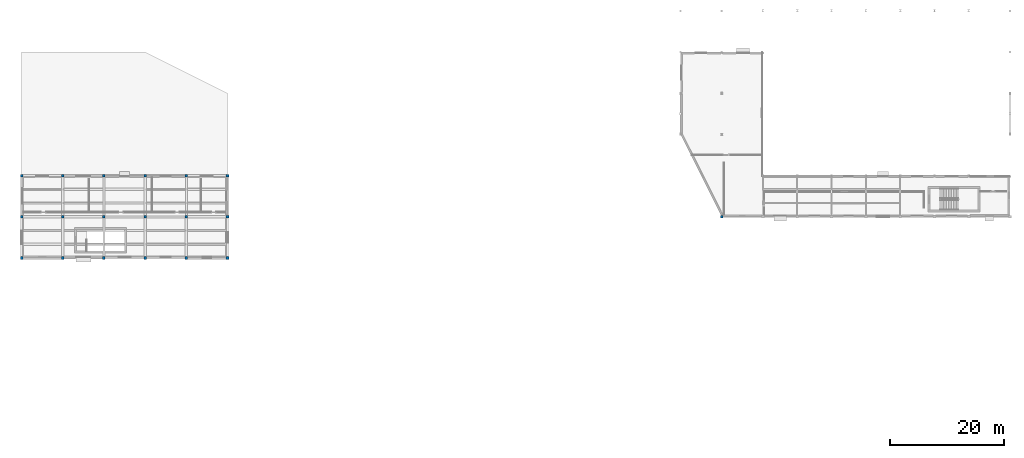
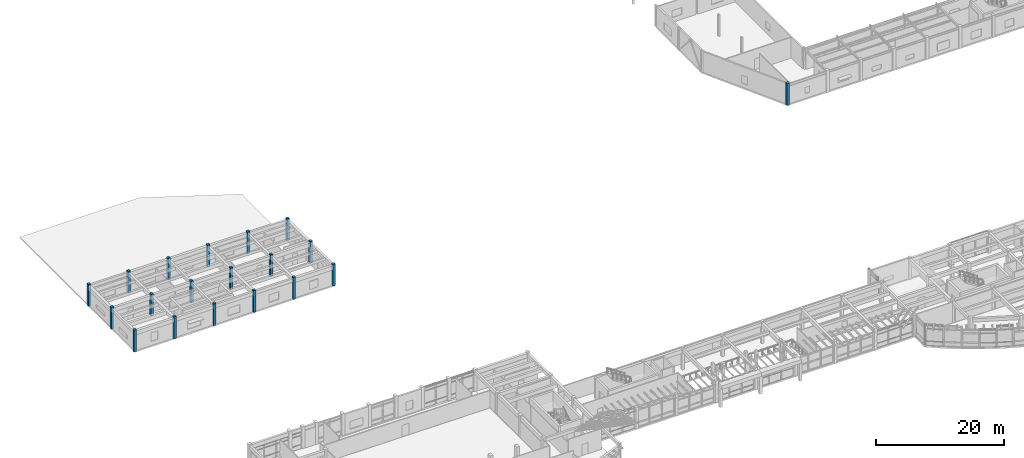
# One storey, part 2 of 60: 19 columns.
"""IFC4 building model written with IfcOpenShell, lengths in metres."""

from ifc_helpers import new_model, si_unit, direction, frame, origin, origin_2d, place, context, subcontext, project, spatial, rectangle, extrude, material, material_profile, profile_set, type_object, element, save


model = new_model("IFC4")

# Units and contexts
model_context = context("Model", 3, precision=1e-05, world=origin(), true_north=direction((0.0, 1.0)))
body_context = subcontext(model_context, "Body", "Model", "MODEL_VIEW")
ifc_project = project(units=[si_unit("LENGTHUNIT", "METRE"), si_unit("AREAUNIT", "SQUARE_METRE"), si_unit("VOLUMEUNIT", "CUBIC_METRE"), si_unit("PLANEANGLEUNIT", "RADIAN"), si_unit("MASSUNIT", "GRAM", prefix="KILO")], contexts=[model_context])

# Site, building, storey
site_placement = place(None, origin())
site = spatial("IfcSite", under=ifc_project, at=site_placement, CompositionType="ELEMENT")
building_placement = place(site_placement, origin())
building = spatial("IfcBuilding", under=site, at=building_placement, Name="Brisavento Harbour Community Centre", CompositionType="ELEMENT")
storey_placement = place(building_placement, frame((0.0, 0.0, 4.5)))
storey = spatial("IfcBuildingStorey", under=building, at=storey_placement, Name="L01", CompositionType="ELEMENT", Elevation=4.5)

# Columns
ifc_material = material(Name="Concrete C35/45", Category="concrete")
ifc_material_profile_1 = material_profile(ifc_material, rectangle(XDim=0.449951171875, YDim=0.449951171875, at=origin_2d()), Name="Concrete C35/45")
ifc_profile_set_1 = profile_set([ifc_material_profile_1], Name="Concrete C35/45")
column_type_1 = type_object("IfcColumnType", Name="COL-RC-450", PredefinedType="COLUMN", material=ifc_profile_set_1)
for number, where, z_axis, x_axis, name in (
    (1, (0.0, 72.0, 0.0), (0.0, 0.0, 1.0), (1.0, 0.0, 0.0), "L01 column V5-0-72"),
    (2, (0.0, 79.199951171875, 0.0), (0.0, 0.0, 1.0), (1.0, 0.0, 0.0), "L01 column V5-0-79"),
    (3, (0.0, 86.39990234375, 0.0), (0.0, 0.0, 1.0), (1.0, 0.0, 0.0), "L01 column V5-0-86"),
    (4, (7.199951171875, 72.0, 0.0), (0.0, 0.0, 1.0), (1.0, 0.0, 0.0), "L01 column V5-7-72"),
    (5, (7.199951171875, 79.199951171875, 0.0), (0.0, 0.0, 1.0), (1.0, 0.0, 0.0), "L01 column V5-7-79"),
    (6, (7.199951171875, 86.39990234375, 0.0), (0.0, 0.0, 1.0), (1.0, 0.0, 0.0), "L01 column V5-7-86"),
    (7, (14.39990234375, 72.0, 0.0), (0.0, 0.0, 1.0), (1.0, 0.0, 0.0), "L01 column V5-14-72"),
    (8, (14.39990234375, 79.199951171875, 0.0), (0.0, 0.0, 1.0), (1.0, 0.0, 0.0), "L01 column V5-14-79"),
    (9, (14.39990234375, 86.39990234375, 0.0), (0.0, 0.0, 1.0), (1.0, 0.0, 0.0), "L01 column V5-14-86"),
    (10, (21.60009765625, 72.0, 0.0), (0.0, 0.0, 1.0), (1.0, 0.0, 0.0), "L01 column V5-21-72"),
    (11, (21.60009765625, 79.199951171875, 0.0), (0.0, 0.0, 1.0), (1.0, 0.0, 0.0), "L01 column V5-21-79"),
    (12, (21.60009765625, 86.39990234375, 0.0), (0.0, 0.0, 1.0), (1.0, 0.0, 0.0), "L01 column V5-21-86"),
    (13, (28.800048828125, 72.0, 0.0), (0.0, 0.0, 1.0), (1.0, 0.0, 0.0), "L01 column V5-28-72"),
    (14, (28.800048828125, 79.199951171875, 0.0), (0.0, 0.0, 1.0), (1.0, 0.0, 0.0), "L01 column V5-28-79"),
    (15, (28.800048828125, 86.39990234375, 0.0), (0.0, 0.0, 1.0), (1.0, 0.0, 0.0), "L01 column V5-28-86"),
    (16, (36.0, 72.0, 0.0), (0.0, 0.0, 1.0), (1.0, 0.0, 0.0), "L01 column V5-36-72"),
    (17, (36.0, 79.199951171875, 0.0), (0.0, 0.0, 1.0), (1.0, 0.0, 0.0), "L01 column V5-36-79"),
    (18, (36.0, 86.39990234375, 0.0), (0.0, 0.0, 1.0), (1.0, 0.0, 0.0), "L01 column V5-36-86"),
):
    element("IfcColumn", number, at=place(storey_placement, frame(where, z_axis=z_axis, x_axis=x_axis)), inside=storey, type_object=column_type_1, Name=name, PredefinedType="COLUMN", context=body_context, shape_type="SweptSolid", body=[
        extrude(rectangle(XDim=0.449951171875, YDim=0.449951171875, at=origin_2d()), origin(), (0.0, 0.0, 1.0), 4.199951171875),
    ])
ifc_material_profile_2 = material_profile(ifc_material, rectangle(XDim=0.5, YDim=0.5, at=origin_2d()), Name="Concrete C35/45")
ifc_profile_set_2 = profile_set([ifc_material_profile_2], Name="Concrete C35/45")
column_type_2 = type_object("IfcColumnType", Name="COL-RC-500", PredefinedType="COLUMN", material=ifc_profile_set_2)
column_placement = place(storey_placement, frame((122.39990234375, 79.199951171875, 0.0), z_axis=(0.0, 0.0, 1.0), x_axis=(1.0, 0.0, 0.0)))
element("IfcColumn", 19, at=column_placement, inside=storey, type_object=column_type_2, Name="L01 column V4SW-PROW", PredefinedType="COLUMN", context=body_context, shape_type="SweptSolid", body=[
    extrude(rectangle(XDim=0.5, YDim=0.5, at=origin_2d()), origin(), (0.0, 0.0, 1.0), 4.199951171875),
])

save(model, "model.ifc")
